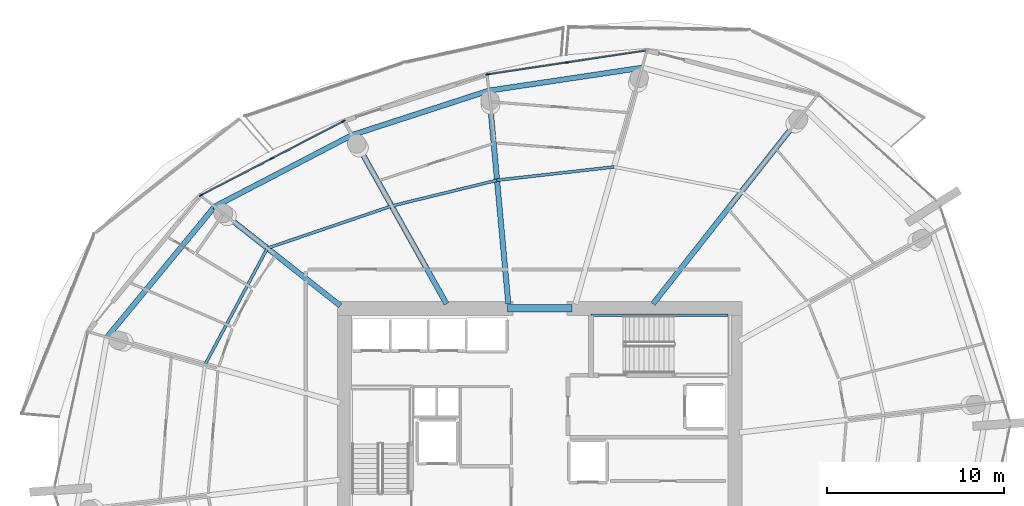
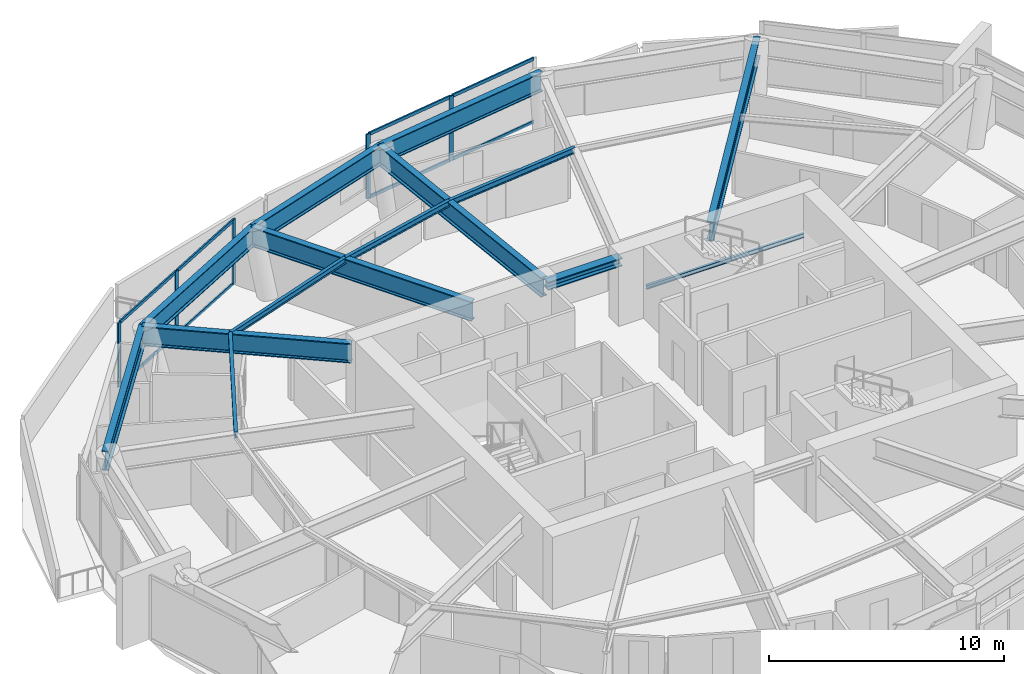
# One storey, part 7 of 19: 14 beams, 13 members, 2 elements without a shape of their own.
"""IFC4 building model written with IfcOpenShell, lengths in metres."""

from ifc_helpers import new_model, si_unit, direction, frame, origin, origin_2d, place, context, subcontext, project, spatial, rectangle, i_section, extrude, material, layer, layer_set, material_profile, profile_set, type_object, element, aggregate, save


model = new_model("IFC4")

# Units and contexts
model_context = context("Model", 3, precision=1e-05, world=origin(), true_north=direction((0.0, 1.0)))
body_context = subcontext(model_context, "Body", "Model", "MODEL_VIEW")
ifc_project = project(units=[si_unit("LENGTHUNIT", "METRE"), si_unit("AREAUNIT", "SQUARE_METRE"), si_unit("VOLUMEUNIT", "CUBIC_METRE"), si_unit("PLANEANGLEUNIT", "RADIAN"), si_unit("MASSUNIT", "GRAM", prefix="KILO")], contexts=[model_context])

# Site, building, storey
site_placement = place(None, origin())
site = spatial("IfcSite", under=ifc_project, at=site_placement, CompositionType="ELEMENT")
building_placement = place(site_placement, origin())
building = spatial("IfcBuilding", under=site, at=building_placement, Name="Kazma Halo Residences", CompositionType="ELEMENT")
storey_placement = place(building_placement, frame((0.0, 0.0, 172.800048828125)))
storey = spatial("IfcBuildingStorey", under=building, at=storey_placement, Name="L43", CompositionType="ELEMENT", Elevation=172.800048828125)

# Beams
ifc_material_1 = material(Name="Steel S355", Category="steel")
ifc_material_profile_1 = material_profile(ifc_material_1, i_section(OverallWidth=0.408935546875, OverallDepth=0.425048828125, WebThickness=0.03271484375, FlangeThickness=0.052490234375, FilletRadius=0.02001953125, at=origin_2d()), Name="W360x421")
ifc_profile_set_1 = profile_set([ifc_material_profile_1], Name="Steel S355")
beam_type_1 = type_object("IfcBeamType", Name="BM-CORE-W360H", PredefinedType="BEAM", material=ifc_profile_set_1)
beam_1_placement = place(storey_placement, frame((46.60009765625, 50.39990234375, 3.137451171875), z_axis=(1.0, 0.0, 0.0), x_axis=(0.0, 1.0, 0.0)))
element("IfcBeam", 1, at=beam_1_placement, inside=storey, type_object=beam_type_1, Name="L43 core coupling beam N", PredefinedType="BEAM", context=body_context, shape_type="SweptSolid", body=[
    extrude(i_section(OverallWidth=0.408935546875, OverallDepth=0.425048828125, WebThickness=0.03271484375, FlangeThickness=0.052490234375, FilletRadius=0.02001953125, at=origin_2d()), origin(), (0.0, 0.0, 1.0), 3.64990234375),
])
ifc_material_profile_2 = material_profile(ifc_material_1, i_section(OverallWidth=0.1650390625, OverallDepth=0.31005859375, WebThickness=0.005859375, FlangeThickness=0.009765625, FilletRadius=0.011962890625, at=origin_2d()), Name="W310x38.7")
ifc_profile_set_2 = profile_set([ifc_material_profile_2], Name="Steel S355")
beam_type_2 = type_object("IfcBeamType", Name="BM-SEC-W310B", PredefinedType="JOIST", material=ifc_profile_set_2)
beam_2_placement = place(storey_placement, frame((52.6220703125, 58.38818359375, 3.195068359375), z_axis=(-0.993636936906, -0.112630535895, 0.0), x_axis=(0.112630535895, -0.993636936906, 0.0)))
element("IfcBeam", 2, at=beam_2_placement, inside=storey, type_object=beam_type_2, Name="L43 circumferential floor joist 03", PredefinedType="JOIST", context=body_context, shape_type="SweptSolid", body=[
    extrude(i_section(OverallWidth=0.1650390625, OverallDepth=0.31005859375, WebThickness=0.005859375, FlangeThickness=0.009765625, FilletRadius=0.011962890625, at=origin_2d()), origin(), (0.0, 0.0, 1.0), 6.65234375),
])
beam_3_placement = place(storey_placement, frame((46.011962890625, 57.638916015625, 3.195068359375), z_axis=(-0.971309517273, -0.237818884145, 0.0), x_axis=(0.237818884145, -0.971309517273, 0.0)))
element("IfcBeam", 3, at=beam_3_placement, inside=storey, type_object=beam_type_2, Name="L43 circumferential floor joist 04", PredefinedType="JOIST", context=body_context, shape_type="SweptSolid", body=[
    extrude(i_section(OverallWidth=0.1650390625, OverallDepth=0.31005859375, WebThickness=0.005859375, FlangeThickness=0.009765625, FilletRadius=0.011962890625, at=origin_2d()), origin(), (0.0, 0.0, 1.0), 6.129638671875),
])
beam_4_placement = place(storey_placement, frame((40.05810546875, 56.18115234375, 3.195068359375), z_axis=(-0.946924134925, -0.321457124197, 0.0), x_axis=(0.321457124197, -0.946924134925, 0.0)))
element("IfcBeam", 4, at=beam_4_placement, inside=storey, type_object=beam_type_2, Name="L43 circumferential floor joist 05", PredefinedType="JOIST", context=body_context, shape_type="SweptSolid", body=[
    extrude(i_section(OverallWidth=0.1650390625, OverallDepth=0.31005859375, WebThickness=0.005859375, FlangeThickness=0.009765625, FilletRadius=0.011962890625, at=origin_2d()), origin(), (0.0, 0.0, 1.0), 7.416259765625),
])
beam_5_placement = place(storey_placement, frame((33.035400390625, 53.797119140625, 3.195068359375), z_axis=(-0.471930118597, -0.88163595841, 0.0), x_axis=(0.88163595841, -0.471930118597, 0.0)))
element("IfcBeam", 5, at=beam_5_placement, inside=storey, type_object=beam_type_2, Name="L43 circumferential floor joist 06", PredefinedType="JOIST", context=body_context, shape_type="SweptSolid", body=[
    extrude(i_section(OverallWidth=0.1650390625, OverallDepth=0.31005859375, WebThickness=0.005859375, FlangeThickness=0.009765625, FilletRadius=0.011962890625, at=origin_2d()), origin(), (0.0, 0.0, 1.0), 7.466552734375),
])
ifc_material_profile_3 = material_profile(ifc_material_1, i_section(OverallWidth=0.302001953125, OverallDepth=1.01806640625, WebThickness=0.021484375, FlangeThickness=0.049072265625, FilletRadius=0.028076171875, at=origin_2d()), Name="W1000x443")
ifc_profile_set_3 = profile_set([ifc_material_profile_3], Name="Steel S355")
beam_type_3 = type_object("IfcBeamType", Name="BM-TRANS-W1000A", PredefinedType="BEAM", material=ifc_profile_set_3)
beam_6_placement = place(storey_placement, frame((54.819091796875, 50.64990234375, 2.841064453125), z_axis=(0.619099088923, 0.785312879109, 0.0), x_axis=(-0.785312879109, 0.619099088923, 0.0)))
element("IfcBeam", 6, at=beam_6_placement, inside=storey, type_object=beam_type_3, Name="L43 podium radial transfer girder 02", PredefinedType="BEAM", context=body_context, shape_type="SweptSolid", body=[
    extrude(i_section(OverallWidth=0.302001953125, OverallDepth=1.01806640625, WebThickness=0.021484375, FlangeThickness=0.049072265625, FilletRadius=0.028076171875, at=origin_2d()), origin(), (0.0, 0.0, 1.0), 13.942138671875),
])
beam_7_placement = place(storey_placement, frame((46.64990234375, 50.64990234375, 2.841064453125), z_axis=(-0.090897769897, 0.995860228861, 0.0), x_axis=(-0.995860228861, -0.090897769897, 0.0)))
element("IfcBeam", 7, at=beam_7_placement, inside=storey, type_object=beam_type_3, Name="L43 podium radial transfer girder 04", PredefinedType="BEAM", context=body_context, shape_type="SweptSolid", body=[
    extrude(i_section(OverallWidth=0.302001953125, OverallDepth=1.01806640625, WebThickness=0.021484375, FlangeThickness=0.049072265625, FilletRadius=0.028076171875, at=origin_2d()), origin(), (0.0, 0.0, 1.0), 12.099853515625),
])
beam_8_placement = place(storey_placement, frame((43.15576171875, 50.64990234375, 2.841064453125), z_axis=(-0.488617652452, 0.872498017025, 0.0), x_axis=(-0.872498017025, -0.488617652452, 0.0)))
element("IfcBeam", 8, at=beam_8_placement, inside=storey, type_object=beam_type_3, Name="L43 podium radial transfer girder 05", PredefinedType="BEAM", context=body_context, shape_type="SweptSolid", body=[
    extrude(i_section(OverallWidth=0.302001953125, OverallDepth=1.01806640625, WebThickness=0.021484375, FlangeThickness=0.049072265625, FilletRadius=0.028076171875, at=origin_2d()), origin(), (0.0, 0.0, 1.0), 10.929931640625),
])
beam_9_placement = place(storey_placement, frame((37.14990234375, 50.553466796875, 2.841064453125), z_axis=(-0.785312880867, 0.619099086693, 0.0), x_axis=(-0.619099086693, -0.785312880867, 0.0)))
element("IfcBeam", 9, at=beam_9_placement, inside=storey, type_object=beam_type_3, Name="L43 podium radial transfer girder 06", PredefinedType="BEAM", context=body_context, shape_type="SweptSolid", body=[
    extrude(i_section(OverallWidth=0.302001953125, OverallDepth=1.01806640625, WebThickness=0.021484375, FlangeThickness=0.049072265625, FilletRadius=0.028076171875, at=origin_2d()), origin(), (0.0, 0.0, 1.0), 9.033447265625),
])
ifc_material_profile_4 = material_profile(ifc_material_1, i_section(OverallWidth=0.300048828125, OverallDepth=1.0, WebThickness=0.01904296875, FlangeThickness=0.0400390625, FilletRadius=0.02587890625, at=origin_2d()), Name="W1000x371")
ifc_profile_set_4 = profile_set([ifc_material_profile_4], Name="Steel S355")
beam_type_4 = type_object("IfcBeamType", Name="BM-TRANS-W1000B", PredefinedType="BEAM", material=ifc_profile_set_4)
beam_10_placement = place(storey_placement, frame((54.202392578125, 63.99169921875, 2.849853515625), z_axis=(-0.98903439143, -0.147685383732, 0.0), x_axis=(0.147685383732, -0.98903439143, 0.0)))
element("IfcBeam", 10, at=beam_10_placement, inside=storey, type_object=beam_type_4, Name="L43 perimeter ring beam 03", PredefinedType="BEAM", context=body_context, shape_type="SweptSolid", body=[
    extrude(i_section(OverallWidth=0.300048828125, OverallDepth=1.0, WebThickness=0.01904296875, FlangeThickness=0.0400390625, FilletRadius=0.02587890625, at=origin_2d()), origin(), (0.0, 0.0, 1.0), 8.748291015625),
])
beam_11_placement = place(storey_placement, frame((45.550048828125, 62.69970703125, 2.849853515625), z_axis=(-0.951048627281, -0.30904127321, 0.0), x_axis=(0.30904127321, -0.951048627281, 0.0)))
element("IfcBeam", 11, at=beam_11_placement, inside=storey, type_object=beam_type_4, Name="L43 perimeter ring beam 04", PredefinedType="BEAM", context=body_context, shape_type="SweptSolid", body=[
    extrude(i_section(OverallWidth=0.300048828125, OverallDepth=1.0, WebThickness=0.01904296875, FlangeThickness=0.0400390625, FilletRadius=0.02587890625, at=origin_2d()), origin(), (0.0, 0.0, 1.0), 8.133056640625),
])
beam_12_placement = place(storey_placement, frame((37.815185546875, 60.186279296875, 2.849853515625), z_axis=(-0.886961243394, -0.461843861838, 0.0), x_axis=(0.461843861838, -0.886961243394, 0.0)))
element("IfcBeam", 12, at=beam_12_placement, inside=storey, type_object=beam_type_4, Name="L43 perimeter ring beam 05", PredefinedType="BEAM", context=body_context, shape_type="SweptSolid", body=[
    extrude(i_section(OverallWidth=0.300048828125, OverallDepth=1.0, WebThickness=0.01904296875, FlangeThickness=0.0400390625, FilletRadius=0.02587890625, at=origin_2d()), origin(), (0.0, 0.0, 1.0), 8.748046875),
])
beam_13_placement = place(storey_placement, frame((30.055908203125, 56.14599609375, 2.849853515625), z_axis=(-0.63601715545, -0.771674917289, 0.0), x_axis=(0.771674917289, -0.63601715545, 0.0)))
element("IfcBeam", 13, at=beam_13_placement, inside=storey, type_object=beam_type_4, Name="L43 perimeter ring beam 06", PredefinedType="BEAM", context=body_context, shape_type="SweptSolid", body=[
    extrude(i_section(OverallWidth=0.300048828125, OverallDepth=1.0, WebThickness=0.01904296875, FlangeThickness=0.0400390625, FilletRadius=0.02587890625, at=origin_2d()), origin(), (0.0, 0.0, 1.0), 9.552734375),
])
ifc_material_profile_5 = material_profile(ifc_material_1, i_section(OverallWidth=0.133056640625, OverallDepth=0.20703125, WebThickness=0.005859375, FlangeThickness=0.00830078125, FilletRadius=0.010009765625, at=origin_2d()), Name="W200x26.6")
ifc_profile_set_5 = profile_set([ifc_material_profile_5], Name="Steel S355")
beam_type_5 = type_object("IfcBeamType", Name="BM-TRIM-W200", PredefinedType="BEAM", material=ifc_profile_set_5)
beam_14_placement = place(storey_placement, frame((51.31005859375, 50.02001953125, 1.570068359375), z_axis=(1.0, 0.0, 0.0), x_axis=(0.0, 1.0, 0.0)))
element("IfcBeam", 14, at=beam_14_placement, inside=storey, type_object=beam_type_5, Name="L43 ST-02 landing north wall ledger", PredefinedType="BEAM", context=body_context, shape_type="SweptSolid", body=[
    extrude(i_section(OverallWidth=0.133056640625, OverallDepth=0.20703125, WebThickness=0.005859375, FlangeThickness=0.00830078125, FilletRadius=0.010009765625, at=origin_2d()), origin(), (0.0, 0.0, 1.0), 7.760009765625),
])

# Curtain wall, members
ifc_material_2 = material(Name="Aluminium AW-6063 T6 and Triple-Silver Low-E Glass", Category="aluminium")
ifc_layer = layer(ifc_material_2, 0.219970703125)
ifc_layer_set = layer_set([ifc_layer], Name="Aluminium AW-6063 T6 and Triple-Silver Low-E Glass")
curtain_wall_type = type_object("IfcCurtainWallType", Name="CW-SYS-4", PredefinedType="NOTDEFINED", material=ifc_layer_set)
curtain_wall_1_placement = place(storey_placement, origin())
curtain_wall_1 = element("IfcCurtainWall", 15, at=curtain_wall_1_placement, inside=storey, type_object=curtain_wall_type, Name="L43 unitised curtain wall B03", PredefinedType="NOTDEFINED")
ifc_material_3 = material(Name="Aluminium AW-6063 T6", Category="aluminium")
ifc_material_profile_6 = material_profile(ifc_material_3, rectangle(XDim=0.074951171875, YDim=0.219970703125, at=origin_2d()), Name="CWM-75x220")
ifc_profile_set_6 = profile_set([ifc_material_profile_6], Name="Aluminium AW-6063 T6")
member_type_1 = type_object("IfcMemberType", Name="CW-SYS-4-MUL", PredefinedType="MULLION", material=ifc_profile_set_6)
member_1_placement = place(storey_placement, frame((49.960205078125, 64.28857421875, 0.0), z_axis=(0.0, 0.0, 1.0), x_axis=(0.148821022686, -0.988864148004, 0.0)))
member_1 = element("IfcMember", 16, at=member_1_placement, type_object=member_type_1, Name="CWS-4 mullion 2", PredefinedType="MULLION", context=body_context, shape_type="SweptSolid", body=[
    extrude(rectangle(XDim=0.074951171875, YDim=0.219970703125, at=origin_2d()), origin(), (0.0, 0.0, 1.0), 3.349853515625),
])
member_2_placement = place(storey_placement, frame((45.4794921875, 63.6142578125, 0.0), z_axis=(0.0, 0.0, 1.0), x_axis=(0.148821022686, -0.988864148004, 0.0)))
member_2 = element("IfcMember", 17, at=member_2_placement, type_object=member_type_1, Name="CWS-4 mullion 3", PredefinedType="MULLION", context=body_context, shape_type="SweptSolid", body=[
    extrude(rectangle(XDim=0.074951171875, YDim=0.219970703125, at=origin_2d()), origin(), (0.0, 0.0, 1.0), 3.349853515625),
])

curtain_wall_2_placement = place(storey_placement, origin())
curtain_wall_2 = element("IfcCurtainWall", 18, at=curtain_wall_2_placement, inside=storey, type_object=curtain_wall_type, Name="L43 unitised curtain wall B05", PredefinedType="NOTDEFINED")
member_3_placement = place(storey_placement, frame((37.33447265625, 60.9677734375, 0.0), z_axis=(0.0, 0.0, 1.0), x_axis=(0.460837484552, -0.887484542306, 0.0)))
member_3 = element("IfcMember", 19, at=member_3_placement, type_object=member_type_1, Name="CWS-4 mullion 1", PredefinedType="MULLION", context=body_context, shape_type="SweptSolid", body=[
    extrude(rectangle(XDim=0.074951171875, YDim=0.219970703125, at=origin_2d()), origin(), (0.0, 0.0, 1.0), 3.349853515625),
])
member_4_placement = place(storey_placement, frame((33.313232421875, 58.879638671875, 0.0), z_axis=(0.0, 0.0, 1.0), x_axis=(0.460837484552, -0.887484542306, 0.0)))
member_4 = element("IfcMember", 20, at=member_4_placement, type_object=member_type_1, Name="CWS-4 mullion 2", PredefinedType="MULLION", context=body_context, shape_type="SweptSolid", body=[
    extrude(rectangle(XDim=0.074951171875, YDim=0.219970703125, at=origin_2d()), origin(), (0.0, 0.0, 1.0), 3.349853515625),
])
member_5_placement = place(storey_placement, frame((29.2919921875, 56.791748046875, 0.0), z_axis=(0.0, 0.0, 1.0), x_axis=(0.460837484552, -0.887484542306, 0.0)))
member_5 = element("IfcMember", 21, at=member_5_placement, type_object=member_type_1, Name="CWS-4 mullion 3", PredefinedType="MULLION", context=body_context, shape_type="SweptSolid", body=[
    extrude(rectangle(XDim=0.074951171875, YDim=0.219970703125, at=origin_2d()), origin(), (0.0, 0.0, 1.0), 3.349853515625),
])

# Member
ifc_material_profile_7 = material_profile(ifc_material_3, rectangle(XDim=0.074951171875, YDim=0.1650390625, at=origin_2d()), Name="CWT-75x165")
ifc_profile_set_7 = profile_set([ifc_material_profile_7], Name="Aluminium AW-6063 T6")
member_type_2 = type_object("IfcMemberType", Name="CW-SYS-4-TRN", PredefinedType="USERDEFINED", material=ifc_profile_set_7)
member_6_placement = place(storey_placement, frame((54.403564453125, 64.957275390625, 0.037353515625), z_axis=(-0.988866721231, -0.148803923478, 0.0), x_axis=(0.148803923478, -0.988866721231, 0.0)))
member_6 = element("IfcMember", 22, at=member_6_placement, type_object=member_type_2, Name="CWS-4 transom 1.1", ObjectType="TRANSOM", PredefinedType="USERDEFINED", context=body_context, shape_type="SweptSolid", body=[
    extrude(rectangle(XDim=0.074951171875, YDim=0.1650390625, at=origin_2d()), origin(), (0.0, 0.0, 1.0), 4.4560546875),
])

member_7_placement = place(storey_placement, frame((54.403564453125, 64.957275390625, 3.3125), z_axis=(-0.988866721231, -0.148803923478, 0.0), x_axis=(0.148803923478, -0.988866721231, 0.0)))
member_7 = element("IfcMember", 23, at=member_7_placement, type_object=member_type_2, Name="CWS-4 transom 1.2", ObjectType="TRANSOM", PredefinedType="USERDEFINED", context=body_context, shape_type="SweptSolid", body=[
    extrude(rectangle(XDim=0.074951171875, YDim=0.1650390625, at=origin_2d()), origin(), (0.0, 0.0, 1.0), 4.4560546875),
])

member_8_placement = place(storey_placement, frame((49.923095703125, 64.282958984375, 0.037353515625), z_axis=(-0.988866721231, -0.148803923478, 0.0), x_axis=(0.148803923478, -0.988866721231, 0.0)))
member_8 = element("IfcMember", 24, at=member_8_placement, type_object=member_type_2, Name="CWS-4 transom 2.1", ObjectType="TRANSOM", PredefinedType="USERDEFINED", context=body_context, shape_type="SweptSolid", body=[
    extrude(rectangle(XDim=0.074951171875, YDim=0.1650390625, at=origin_2d()), origin(), (0.0, 0.0, 1.0), 4.4560546875),
])

member_9_placement = place(storey_placement, frame((49.923095703125, 64.282958984375, 3.3125), z_axis=(-0.988866721231, -0.148803923478, 0.0), x_axis=(0.148803923478, -0.988866721231, 0.0)))
member_9 = element("IfcMember", 25, at=member_9_placement, type_object=member_type_2, Name="CWS-4 transom 2.2", ObjectType="TRANSOM", PredefinedType="USERDEFINED", context=body_context, shape_type="SweptSolid", body=[
    extrude(rectangle(XDim=0.074951171875, YDim=0.1650390625, at=origin_2d()), origin(), (0.0, 0.0, 1.0), 4.4560546875),
])

aggregate(curtain_wall_1, [member_1, member_2, member_6, member_7, member_8, member_9])

member_10_placement = place(storey_placement, frame((37.30126953125, 60.950439453125, 0.037353515625), z_axis=(-0.887484872803, -0.460836848077, 0.0), x_axis=(0.460836848077, -0.887484872803, 0.0)))
member_10 = element("IfcMember", 26, at=member_10_placement, type_object=member_type_2, Name="CWS-4 transom 1.1", ObjectType="TRANSOM", PredefinedType="USERDEFINED", context=body_context, shape_type="SweptSolid", body=[
    extrude(rectangle(XDim=0.074951171875, YDim=0.1650390625, at=origin_2d()), origin(), (0.0, 0.0, 1.0), 4.4560546875),
])

member_11_placement = place(storey_placement, frame((37.30126953125, 60.950439453125, 3.3125), z_axis=(-0.887484872803, -0.460836848077, 0.0), x_axis=(0.460836848077, -0.887484872803, 0.0)))
member_11 = element("IfcMember", 27, at=member_11_placement, type_object=member_type_2, Name="CWS-4 transom 1.2", ObjectType="TRANSOM", PredefinedType="USERDEFINED", context=body_context, shape_type="SweptSolid", body=[
    extrude(rectangle(XDim=0.074951171875, YDim=0.1650390625, at=origin_2d()), origin(), (0.0, 0.0, 1.0), 4.4560546875),
])

member_12_placement = place(storey_placement, frame((33.280029296875, 58.862548828125, 0.037353515625), z_axis=(-0.887484872803, -0.460836848077, 0.0), x_axis=(0.460836848077, -0.887484872803, 0.0)))
member_12 = element("IfcMember", 28, at=member_12_placement, type_object=member_type_2, Name="CWS-4 transom 2.1", ObjectType="TRANSOM", PredefinedType="USERDEFINED", context=body_context, shape_type="SweptSolid", body=[
    extrude(rectangle(XDim=0.074951171875, YDim=0.1650390625, at=origin_2d()), origin(), (0.0, 0.0, 1.0), 4.4560546875),
])

member_13_placement = place(storey_placement, frame((33.280029296875, 58.862548828125, 3.3125), z_axis=(-0.887484872803, -0.460836848077, 0.0), x_axis=(0.460836848077, -0.887484872803, 0.0)))
member_13 = element("IfcMember", 29, at=member_13_placement, type_object=member_type_2, Name="CWS-4 transom 2.2", ObjectType="TRANSOM", PredefinedType="USERDEFINED", context=body_context, shape_type="SweptSolid", body=[
    extrude(rectangle(XDim=0.074951171875, YDim=0.1650390625, at=origin_2d()), origin(), (0.0, 0.0, 1.0), 4.4560546875),
])

aggregate(curtain_wall_2, [member_3, member_4, member_5, member_10, member_11, member_12, member_13])

save(model, "model.ifc")
